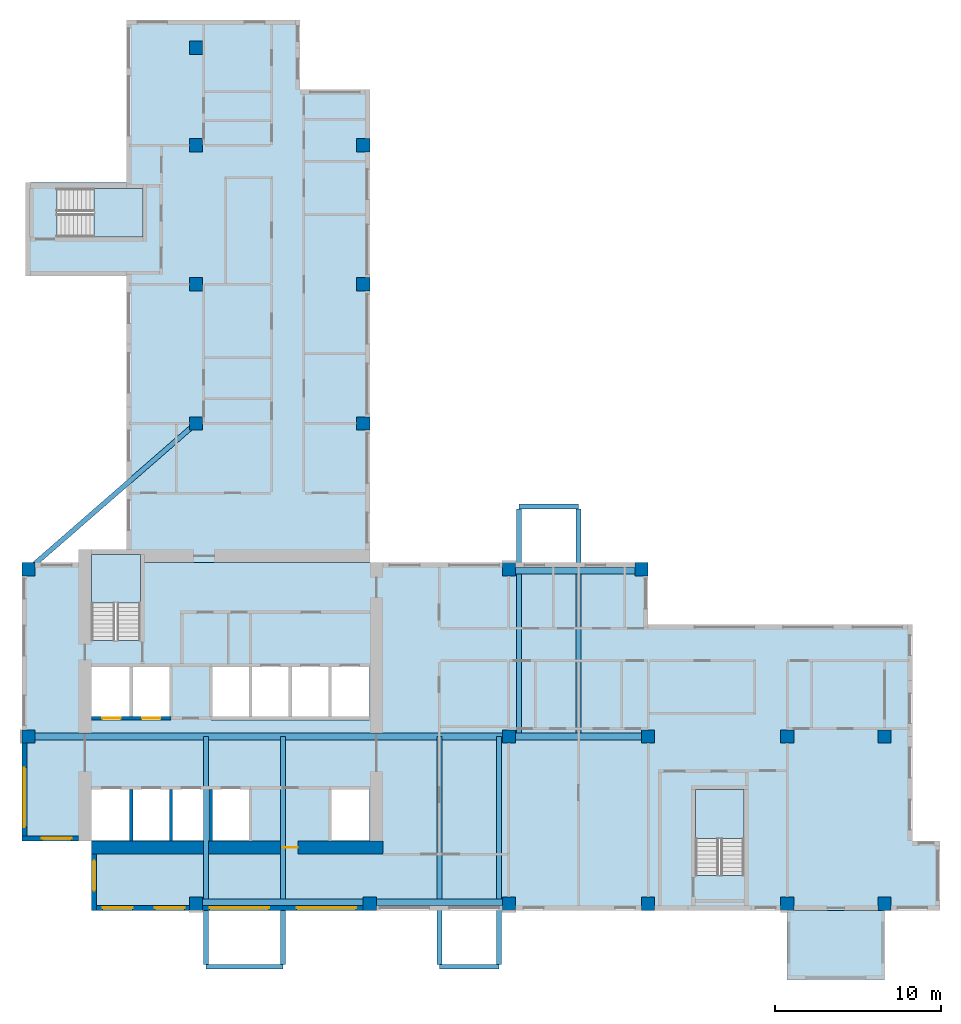
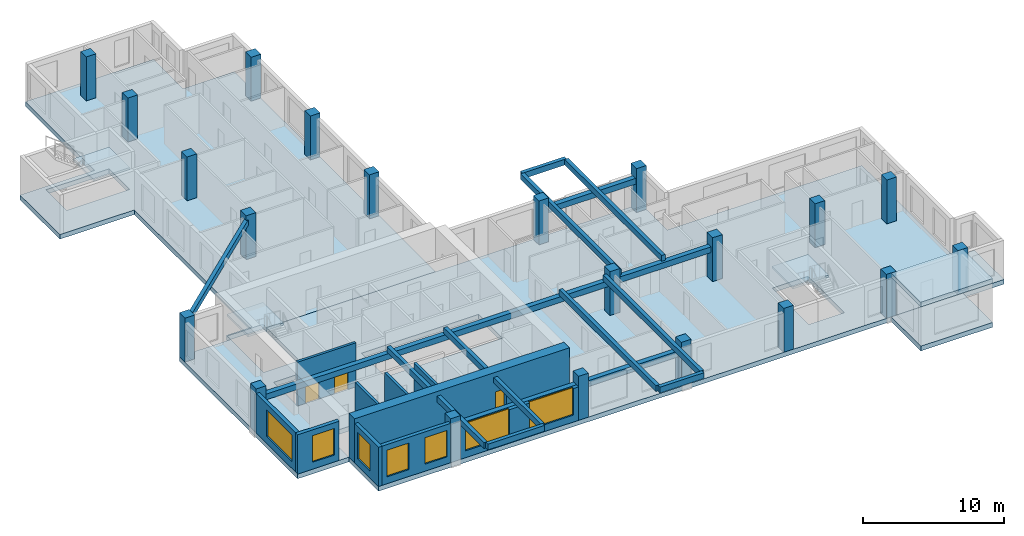
# One storey, part 1 of 11: 21 columns, 14 beams, 10 walls, 7 slabs, 7 windows, 3 doors, 1 member, 10 openings, 3 elements without a shape of their own.
"""IFC4 building model written with IfcOpenShell, lengths in metres."""

from ifc_helpers import new_model, si_unit, direction, frame, frame_2d, origin, origin_2d, place, context, subcontext, project, spatial, polyline, rectangle, outline, extrude, source, transform, mapped, material, layer, layer_set, material_profile, profile_set, type_object, element, fill, aggregate, save


model = new_model("IFC4")

# Units and contexts
model_context = context("Model", 3, precision=1e-05, world=origin(), true_north=direction((0.0, 1.0)))
body_context = subcontext(model_context, "Body", "Model", "MODEL_VIEW")
ifc_project = project(units=[si_unit("LENGTHUNIT", "METRE"), si_unit("AREAUNIT", "SQUARE_METRE"), si_unit("VOLUMEUNIT", "CUBIC_METRE"), si_unit("PLANEANGLEUNIT", "RADIAN"), si_unit("MASSUNIT", "GRAM", prefix="KILO")], contexts=[model_context])

# Site, building, storey
site_placement = place(None, origin())
site = spatial("IfcSite", under=ifc_project, at=site_placement, CompositionType="ELEMENT")
building_placement = place(site_placement, origin())
building = spatial("IfcBuilding", under=site, at=building_placement, Name="Aurelian Terraces", CompositionType="ELEMENT")
storey_placement = place(building_placement, frame((0.0, 0.0, 227.2)))
storey = spatial("IfcBuildingStorey", under=building, at=storey_placement, Name="L51", CompositionType="ELEMENT", Elevation=227.2)

# Columns
ifc_material_1 = material(Name="Concrete fc' 70 MPa", Category="concrete")
ifc_material_profile_1 = material_profile(ifc_material_1, rectangle(XDim=0.8, YDim=0.8, at=origin_2d()))
ifc_profile_set_1 = profile_set([ifc_material_profile_1], Name="Concrete fc' 70 MPa")
column_type = type_object("IfcColumnType", Name="RC COLUMN 800X800 FC70", PredefinedType="COLUMN", material=ifc_profile_set_1)
column_placement = place(storey_placement, frame((10.5, 0.4, 0.0), z_axis=(0.0, 0.0, 1.0), x_axis=(1.0, 0.0, 0.0)))
element("IfcColumn", 1, at=column_placement, inside=storey, type_object=column_type, Name="Column 2/A L51", PredefinedType="COLUMN", context=body_context, shape_type="SweptSolid", body=[
    extrude(rectangle(XDim=0.8, YDim=0.8, at=origin_2d()), origin(), (0.0, 0.0, 1.0), 3.8),
])
shared_shape_1 = source(origin(), body_context, "Body", "SweptSolid", [
    extrude(rectangle(XDim=0.8, YDim=0.8, at=origin_2d()), origin(), (0.0, 0.0, 1.0), 3.8),
])
for number, where, z_axis, x_axis, name in (
    (2, (21.0, 0.4, 0.0), (0.0, 0.0, 1.0), (1.0, 0.0, 0.0), "Column 3/A L51"),
    (3, (29.4, 0.4, 0.0), (0.0, 0.0, 1.0), (1.0, 0.0, 0.0), "Column 4/A L51"),
    (4, (37.8, 0.4, 0.0), (0.0, 0.0, 1.0), (1.0, 0.0, 0.0), "Column 5/A L51"),
    (5, (46.2, 0.4, 0.0), (0.0, 0.0, 1.0), (1.0, 0.0, 0.0), "Column 6/A L51"),
    (6, (52.08, 0.4, 0.0), (0.0, 0.0, 1.0), (1.0, 0.0, 0.0), "Column 7/A L51"),
    (7, (0.4, 10.5, 0.0), (0.0, 0.0, 1.0), (1.0, 0.0, 0.0), "Column 1/B L51"),
    (8, (29.4, 10.5, 0.0), (0.0, 0.0, 1.0), (1.0, 0.0, 0.0), "Column 4/B L51"),
    (9, (37.8, 10.5, 0.0), (0.0, 0.0, 1.0), (1.0, 0.0, 0.0), "Column 5/B L51"),
    (10, (46.2, 10.5, 0.0), (0.0, 0.0, 1.0), (1.0, 0.0, 0.0), "Column 6/B L51"),
    (11, (52.08, 10.5, 0.0), (0.0, 0.0, 1.0), (1.0, 0.0, 0.0), "Column 7/B L51"),
    (12, (0.4, 20.6, 0.0), (0.0, 0.0, 1.0), (1.0, 0.0, 0.0), "Column 1/C L51"),
    (13, (29.4, 20.6, 0.0), (0.0, 0.0, 1.0), (1.0, 0.0, 0.0), "Column 4/C L51"),
    (14, (37.4, 20.6, 0.0), (0.0, 0.0, 1.0), (1.0, 0.0, 0.0), "Column 5/C L51"),
    (15, (10.5, 29.4, 0.0), (0.0, 0.0, 1.0), (1.0, 0.0, 0.0), "Column 2/D L51"),
    (16, (20.6, 29.4, 0.0), (0.0, 0.0, 1.0), (1.0, 0.0, 0.0), "Column 3/D L51"),
    (17, (10.5, 37.8, 0.0), (0.0, 0.0, 1.0), (1.0, 0.0, 0.0), "Column 2/E L51"),
    (18, (20.6, 37.8, 0.0), (0.0, 0.0, 1.0), (1.0, 0.0, 0.0), "Column 3/E L51"),
    (19, (10.5, 46.2, 0.0), (0.0, 0.0, 1.0), (1.0, 0.0, 0.0), "Column 2/F L51"),
    (20, (20.6, 46.2, 0.0), (0.0, 0.0, 1.0), (1.0, 0.0, 0.0), "Column 3/F L51"),
    (21, (10.5, 52.08, 0.0), (0.0, 0.0, 1.0), (1.0, 0.0, 0.0), "Column 2/G L51"),
):
    element("IfcColumn", number, at=place(storey_placement, frame(where, z_axis=z_axis, x_axis=x_axis)), inside=storey, type_object=column_type, Name=name, PredefinedType="COLUMN", context=body_context, shape_type="MappedRepresentation", body=[
        mapped(shared_shape_1, transform((0.0, 0.0, 0.0), scale=1.0)),
    ])

# Beams
ifc_material_2 = material(Name="Concrete fc' 40 MPa", Category="concrete")
ifc_material_profile_2 = material_profile(ifc_material_2, rectangle(XDim=0.3, YDim=0.5, at=origin_2d()))
ifc_profile_set_2 = profile_set([ifc_material_profile_2], Name="Concrete fc' 40 MPa")
beam_type_1 = type_object("IfcBeamType", Name="CONCRETE CANTILEVER BEAM 300X500", PredefinedType="BEAM", material=ifc_profile_set_2)
beam_1_placement = place(storey_placement, frame((11.1, -3.25, 3.15), z_axis=(0.0, 1.0, 0.0), x_axis=(-1.0, 0.0, 0.0)))
element("IfcBeam", 22, at=beam_1_placement, inside=storey, type_object=beam_type_1, Name="Box cantilever beam J75.1", PredefinedType="BEAM", context=body_context, shape_type="SweptSolid", body=[
    extrude(rectangle(XDim=0.3, YDim=0.5, at=origin_2d()), origin(), (0.0, 0.0, 1.0), 13.75),
])
beam_2_placement = place(storey_placement, frame((11.1, -3.4, 3.15), z_axis=(1.0, 0.0, 0.0), x_axis=(0.0, 1.0, 0.0)))
element("IfcBeam", 23, at=beam_2_placement, inside=storey, type_object=beam_type_1, Name="Box tip beam J75", PredefinedType="BEAM", context=body_context, shape_type="SweptSolid", body=[
    extrude(rectangle(XDim=0.3, YDim=0.5, at=origin_2d()), origin(), (0.0, 0.0, 1.0), 4.65),
])
beam_3_placement = place(storey_placement, frame((25.2, -3.4, 3.15), z_axis=(1.0, 0.0, 0.0), x_axis=(0.0, 1.0, 0.0)))
element("IfcBeam", 24, at=beam_3_placement, inside=storey, type_object=beam_type_1, Name="Box tip beam J76", PredefinedType="BEAM", context=body_context, shape_type="SweptSolid", body=[
    extrude(rectangle(XDim=0.3, YDim=0.5, at=origin_2d()), origin(), (0.0, 0.0, 1.0), 3.6),
])

# Member
ifc_material_profile_3 = material_profile(ifc_material_2, rectangle(XDim=0.3, YDim=0.5, at=origin_2d()))
ifc_profile_set_3 = profile_set([ifc_material_profile_3], Name="Concrete fc' 40 MPa")
member_type = type_object("IfcMemberType", Name="CONCRETE EDGE BEAM 300X500", PredefinedType="MEMBER", material=ifc_profile_set_3)
member_placement = place(storey_placement, frame((10.1984, 29.1372, 3.15), z_axis=(-0.753963877863, -0.656915878084, 0.0), x_axis=(0.656915878084, -0.753963877863, 0.0)))
element("IfcMember", 25, at=member_placement, inside=storey, type_object=member_type, Name="Terrace edge member SKY-08-T1", PredefinedType="MEMBER", context=body_context, shape_type="SweptSolid", body=[
    extrude(rectangle(XDim=0.3, YDim=0.5, at=origin_2d()), origin(), (0.0, 0.0, 1.0), 12.5958),
])

# Beams
ifc_material_profile_4 = material_profile(ifc_material_2, rectangle(XDim=0.4, YDim=0.5, at=origin_2d()))
ifc_profile_set_4 = profile_set([ifc_material_profile_4], Name="Concrete fc' 40 MPa")
beam_type_2 = type_object("IfcBeamType", Name="CONCRETE EDGE GIRDER 400X500", PredefinedType="BEAM", material=ifc_profile_set_4)
beam_4_placement = place(storey_placement, frame((10.9, 0.5, 2.65), z_axis=(1.0, 0.0, 0.0), x_axis=(0.0, 1.0, 0.0)))
element("IfcBeam", 26, at=beam_4_placement, inside=storey, type_object=beam_type_2, Name="Box girder L51 O147", PredefinedType="BEAM", context=body_context, shape_type="SweptSolid", body=[
    extrude(rectangle(XDim=0.4, YDim=0.5, at=origin_2d()), origin(), (0.0, 0.0, 1.0), 9.7),
])
beam_5_placement = place(storey_placement, frame((0.8, 10.5, 2.65), z_axis=(1.0, 0.0, 0.0), x_axis=(0.0, 1.0, 0.0)))
element("IfcBeam", 27, at=beam_5_placement, inside=storey, type_object=beam_type_2, Name="Box girder L51 I148", PredefinedType="BEAM", context=body_context, shape_type="SweptSolid", body=[
    extrude(rectangle(XDim=0.4, YDim=0.5, at=origin_2d()), origin(), (0.0, 0.0, 1.0), 28.2),
])
beam_6_placement = place(storey_placement, frame((21.4, 0.5, 2.65), z_axis=(1.0, 0.0, 0.0), x_axis=(0.0, 1.0, 0.0)))
element("IfcBeam", 28, at=beam_6_placement, inside=storey, type_object=beam_type_2, Name="Box girder L51 O149", PredefinedType="BEAM", context=body_context, shape_type="SweptSolid", body=[
    extrude(rectangle(XDim=0.4, YDim=0.5, at=origin_2d()), origin(), (0.0, 0.0, 1.0), 7.6),
])
shared_shape_2 = source(origin(), body_context, "Body", "SweptSolid", [
    extrude(rectangle(XDim=0.4, YDim=0.5, at=origin_2d()), origin(), (0.0, 0.0, 1.0), 7.2),
])
beam_7_placement = place(storey_placement, frame((29.8, 20.5, 2.65), z_axis=(1.0, 0.0, 0.0), x_axis=(0.0, 1.0, 0.0)))
element("IfcBeam", 29, at=beam_7_placement, inside=storey, type_object=beam_type_2, Name="Box girder L51 O150", PredefinedType="BEAM", context=body_context, shape_type="MappedRepresentation", body=[
    mapped(shared_shape_2, transform((0.0, 0.0, 0.0), scale=1.0)),
])
shared_shape_3 = source(origin(), body_context, "Body", "SweptSolid", [
    extrude(rectangle(XDim=0.3, YDim=0.5, at=origin_2d()), origin(), (0.0, 0.0, 1.0), 13.75),
])
for number, where, z_axis, x_axis, name in (
    (30, (15.75, -3.25, 3.15), (0.0, 1.0, 0.0), (-1.0, 0.0, 0.0), "Box cantilever beam J75.2"),
    (31, (25.2, -3.25, 3.15), (0.0, 1.0, 0.0), (-1.0, 0.0, 0.0), "Box cantilever beam J76.1"),
    (32, (28.8, -3.25, 3.15), (0.0, 1.0, 0.0), (-1.0, 0.0, 0.0), "Box cantilever beam J76.2"),
    (33, (30.0, 24.25, 3.15), (0.0, -1.0, 0.0), (1.0, 0.0, 0.0), "Box cantilever beam J77.1"),
    (34, (33.6, 24.25, 3.15), (0.0, -1.0, 0.0), (1.0, 0.0, 0.0), "Box cantilever beam J77.2"),
):
    element("IfcBeam", number, at=place(storey_placement, frame(where, z_axis=z_axis, x_axis=x_axis)), inside=storey, type_object=beam_type_1, Name=name, PredefinedType="BEAM", context=body_context, shape_type="MappedRepresentation", body=[
        mapped(shared_shape_3, transform((0.0, 0.0, 0.0), scale=1.0)),
    ])
shared_shape_4 = source(origin(), body_context, "Body", "SweptSolid", [
    extrude(rectangle(XDim=0.4, YDim=0.5, at=origin_2d()), origin(), (0.0, 0.0, 1.0), 7.6),
])
beam_8_placement = place(storey_placement, frame((29.8, 10.5, 2.65), z_axis=(1.0, 0.0, 0.0), x_axis=(0.0, 1.0, 0.0)))
element("IfcBeam", 35, at=beam_8_placement, inside=storey, type_object=beam_type_2, Name="Box girder L51 I151", PredefinedType="BEAM", context=body_context, shape_type="MappedRepresentation", body=[
    mapped(shared_shape_4, transform((0.0, 0.0, 0.0), scale=1.0)),
])
shared_shape_5 = source(origin(), body_context, "Body", "SweptSolid", [
    extrude(rectangle(XDim=0.3, YDim=0.5, at=origin_2d()), origin(), (0.0, 0.0, 1.0), 3.6),
])
beam_9_placement = place(storey_placement, frame((30.0, 24.4, 3.15), z_axis=(1.0, 0.0, 0.0), x_axis=(0.0, 1.0, 0.0)))
element("IfcBeam", 36, at=beam_9_placement, inside=storey, type_object=beam_type_1, Name="Box tip beam J77", PredefinedType="BEAM", context=body_context, shape_type="MappedRepresentation", body=[
    mapped(shared_shape_5, transform((0.0, 0.0, 0.0), scale=1.0)),
])

# Slabs
ifc_layer_1 = layer(ifc_material_2, 0.4)
ifc_layer_set_1 = layer_set([ifc_layer_1], Name="PT FLAT PLATE 400")
slab_type_1 = type_object("IfcSlabType", Name="PT FLAT PLATE 400", PredefinedType="FLOOR", material=ifc_layer_set_1)
shared_shape_6 = source(origin(), body_context, "Body", "SweptSolid", [
    extrude(outline(polyline([(6.3, 43.95), (6.3, 49.56), (6.3, 53.76), (10.5, 53.76), (16.8, 53.76), (16.8, 49.56), (21.0, 49.56), (21.0, 21.0), (7.14, 21.0), (7.14, 21.49), (4.21, 21.49), (4.21, 21.0), (4.2, 21.0), (4.2, 21.6), (6.3, 21.6), (6.3, 38.3), (0.2, 38.3), (0.2, 43.95), (6.3, 43.95)]), holes=[polyline([(7.29, 43.59), (2.11, 43.59), (2.11, 40.66), (7.29, 40.66), (7.29, 43.59)])]), origin(), (0.0, 0.0, 1.0), 0.4),
])
slab_1_placement = place(storey_placement, frame((0.0, 0.0, -0.4)))
element("IfcSlab", 37, at=slab_1_placement, inside=storey, type_object=slab_type_1, Name="Floor slab W L51", PredefinedType="FLOOR", context=body_context, shape_type="MappedRepresentation", body=[
    mapped(shared_shape_6, transform((0.0, 0.0, 0.0), scale=1.0)),
])
shared_shape_7 = source(origin(), body_context, "Body", "SweptSolid", [
    extrude(outline(polyline([(21.0, 0.0), (4.2, 0.0), (4.2, 4.2), (0.0, 4.2), (0.0, 21.0), (4.21, 21.0), (4.21, 16.31), (7.14, 16.31), (7.14, 21.0), (21.0, 21.0), (37.8, 21.0), (37.8, 17.25), (53.76, 17.25), (53.76, 4.2), (55.44, 4.2), (55.44, 0.0), (21.0, 0.0)]), holes=[polyline([(40.66, 2.11), (43.59, 2.11), (43.59, 7.29), (40.66, 7.29), (40.66, 2.11)]), polyline([(18.61, 7.49), (18.61, 4.21), (20.99, 4.21), (20.99, 7.49), (18.61, 7.49)]), polyline([(20.99, 14.89), (11.41, 14.89), (11.41, 11.51), (20.99, 11.51), (20.99, 14.89)]), polyline([(4.21, 7.49), (4.21, 4.21), (13.79, 4.21), (13.79, 7.49), (4.21, 7.49)]), polyline([(4.21, 14.89), (4.21, 11.51), (8.99, 11.51), (8.99, 14.89), (4.21, 14.89)])]), origin(), (0.0, 0.0, 1.0), 0.4),
])
slab_2_placement = place(storey_placement, frame((0.0, 0.0, -0.4)))
element("IfcSlab", 38, at=slab_2_placement, inside=storey, type_object=slab_type_1, Name="Floor slab S L51", PredefinedType="FLOOR", context=body_context, shape_type="MappedRepresentation", body=[
    mapped(shared_shape_7, transform((0.0, 0.0, 0.0), scale=1.0)),
])
ifc_layer_2 = layer(ifc_material_2, 0.41)
ifc_layer_set_2 = layer_set([ifc_layer_2], Name="Box floor 410")
slab_type_2 = type_object("IfcSlabType", Name="Box floor 410", PredefinedType="NOTDEFINED", material=ifc_layer_set_2)
shared_shape_8 = source(origin(), body_context, "Body", "SweptSolid", [
    extrude(outline(polyline([(46.2, -4.2), (52.08, -4.2), (52.08, 0.0), (46.2, 0.0), (46.2, -4.2)])), origin(), (0.0, 0.0, 1.0), 0.41),
])
slab_3_placement = place(storey_placement, frame((0.0, 0.0, -0.41)))
element("IfcSlab", 39, at=slab_3_placement, inside=storey, type_object=slab_type_2, Name="Box floor L51 J74", PredefinedType="NOTDEFINED", context=body_context, shape_type="MappedRepresentation", body=[
    mapped(shared_shape_8, transform((0.0, 0.0, 0.0), scale=1.0)),
])
ifc_layer_3 = layer(ifc_material_2, 0.4)
ifc_layer_set_3 = layer_set([ifc_layer_3], Name="Box roof 400")
slab_type_3 = type_object("IfcSlabType", Name="Box roof 400", PredefinedType="ROOF", material=ifc_layer_set_3)
shared_shape_9 = source(origin(), body_context, "Body", "SweptSolid", [
    extrude(outline(polyline([(46.2, -4.2), (52.08, -4.2), (52.08, 0.0), (46.2, 0.0), (46.2, -4.2)])), origin(), (0.0, 0.0, 1.0), 0.4),
])
slab_4_placement = place(storey_placement, frame((0.0, 0.0, 3.4)))
element("IfcSlab", 40, at=slab_4_placement, inside=storey, type_object=slab_type_3, Name="Box roof J74", PredefinedType="ROOF", context=body_context, shape_type="MappedRepresentation", body=[
    mapped(shared_shape_9, transform((0.0, 0.0, 0.0), scale=1.0)),
])

# Stair, slab
stair_type = type_object("IfcStairType", Name="Stair 1400", PredefinedType="HALF_TURN_STAIR", material=ifc_material_2)
stair_1_placement = place(storey_placement, origin())
stair_1 = element("IfcStair", 41, at=stair_1_placement, inside=storey, type_object=stair_type, Name="L51 S1", PredefinedType="HALF_TURN_STAIR")
ifc_layer_4 = layer(ifc_material_2, 0.2)
ifc_layer_set_4 = layer_set([ifc_layer_4], Name="Stair landing 200")
slab_type_4 = type_object("IfcSlabType", Name="Stair landing 200", PredefinedType="LANDING", material=ifc_layer_set_4)
shared_shape_10 = source(origin(), body_context, "Body", "SweptSolid", [
    extrude(outline(polyline([(7.15, 18.55), (7.15, 21.5), (4.2, 21.5), (4.2, 18.55), (7.15, 18.55)])), origin(), (0.0, 0.0, 1.0), 0.2),
])
slab_5_placement = place(storey_placement, frame((0.0, 0.0, 1.7)))
slab_5 = element("IfcSlab", 42, at=slab_5_placement, type_object=slab_type_4, Name="S1 landing 1", PredefinedType="LANDING", context=body_context, shape_type="MappedRepresentation", body=[
    mapped(shared_shape_10, transform((0.0, 0.0, 0.0), scale=1.0)),
])
aggregate(stair_1, [slab_5])

stair_2_placement = place(storey_placement, origin())
stair_2 = element("IfcStair", 43, at=stair_2_placement, inside=storey, type_object=stair_type, Name="L51 S2", PredefinedType="HALF_TURN_STAIR")
shared_shape_11 = source(origin(), body_context, "Body", "SweptSolid", [
    extrude(outline(polyline([(43.6, 4.35), (43.6, 7.3), (40.65, 7.3), (40.65, 4.35), (43.6, 4.35)])), origin(), (0.0, 0.0, 1.0), 0.2),
])
slab_6_placement = place(storey_placement, frame((0.0, 0.0, 1.7)))
slab_6 = element("IfcSlab", 44, at=slab_6_placement, type_object=slab_type_4, Name="S2 landing 1", PredefinedType="LANDING", context=body_context, shape_type="MappedRepresentation", body=[
    mapped(shared_shape_11, transform((0.0, 0.0, 0.0), scale=1.0)),
])
aggregate(stair_2, [slab_6])

stair_3_placement = place(storey_placement, origin())
stair_3 = element("IfcStair", 45, at=stair_3_placement, inside=storey, type_object=stair_type, Name="L51 S3", PredefinedType="HALF_TURN_STAIR")
shared_shape_12 = source(origin(), body_context, "Body", "SweptSolid", [
    extrude(outline(polyline([(4.35, 40.65), (7.3, 40.65), (7.3, 43.6), (4.35, 43.6), (4.35, 40.65)])), origin(), (0.0, 0.0, 1.0), 0.2),
])
slab_7_placement = place(storey_placement, frame((0.0, 0.0, 1.7)))
slab_7 = element("IfcSlab", 46, at=slab_7_placement, type_object=slab_type_4, Name="S3 landing 1", PredefinedType="LANDING", context=body_context, shape_type="MappedRepresentation", body=[
    mapped(shared_shape_12, transform((0.0, 0.0, 0.0), scale=1.0)),
])
aggregate(stair_3, [slab_7])

# Wall, openings, windows
ifc_material_3 = material(Name="Terracotta rainscreen cladding", Category="masonry")
ifc_layer_5 = layer(ifc_material_3, 0.3)
ifc_layer_set_5 = layer_set([ifc_layer_5], Name="EW-300")
wall_type_1 = type_object("IfcWallType", Name="EW-300", PredefinedType="STANDARD", material=ifc_layer_set_5)
wall_1_placement = place(storey_placement, frame((4.2, 0.15, 0.0), z_axis=(0.0, 0.0, 1.0), x_axis=(1.0, 0.0, 0.0)))
wall_1 = element("IfcWall", 47, at=wall_1_placement, inside=storey, type_object=wall_type_1, Name="External wall L51 F01.1", PredefinedType="STANDARD", context=body_context, shape_type="SweptSolid", body=[
    extrude(rectangle(XDim=5.9, YDim=0.3, at=frame_2d((2.95, 0.0))), origin(), (0.0, 0.0, 1.0), 3.4),
])
shared_shape_13 = source(origin(), body_context, "Body", "SweptSolid", [
    extrude(rectangle(XDim=1.8, YDim=2.3, at=frame_2d((0.9, 1.15))), frame((0.0, 0.16, 0.0), z_axis=(0.0, -1.0, 0.0), x_axis=(1.0, 0.0, 0.0)), (0.0, 0.0, 1.0), 0.32),
])
opening_1_placement = place(wall_1_placement, frame((0.675, 0.0, 0.6)))
opening_1 = element("IfcOpeningElement", 48, at=opening_1_placement, cuts=wall_1, Name="Opening W1823", PredefinedType="OPENING", context=body_context, shape_type="MappedRepresentation", body=[
    mapped(shared_shape_13, transform((0.0, 0.0, 0.0), scale=1.0)),
])
opening_2_placement = place(wall_1_placement, frame((3.825, 0.0, 0.6)))
opening_2 = element("IfcOpeningElement", 49, at=opening_2_placement, cuts=wall_1, Name="Opening W1823", PredefinedType="OPENING", context=body_context, shape_type="MappedRepresentation", body=[
    mapped(shared_shape_13, transform((0.0, 0.0, 0.0), scale=1.0)),
])
ifc_material_4 = material(Name="Clear glazing", Category="glass")
window_type_1 = type_object("IfcWindowType", Name="W-1800x2300", PartitioningType="SINGLE_PANEL", PredefinedType="WINDOW", material=ifc_material_4)
shared_shape_14 = source(origin(), body_context, "Body", "SweptSolid", [
    extrude(rectangle(XDim=1.8, YDim=2.3, at=frame_2d((0.9, 1.15))), frame((0.0, 0.03, 0.0), z_axis=(0.0, -1.0, 0.0), x_axis=(1.0, 0.0, 0.0)), (0.0, 0.0, 1.0), 0.06),
])
window_1_placement = place(opening_1_placement, origin())
window_1 = element("IfcWindow", 50, at=window_1_placement, inside=storey, type_object=window_type_1, Name="Window L51 L51-F01-01-0", OverallHeight=2.3, OverallWidth=1.8, PartitioningType="SINGLE_PANEL", PredefinedType="WINDOW", context=body_context, shape_type="MappedRepresentation", body=[
    mapped(shared_shape_14, transform((0.0, 0.0, 0.0), scale=1.0)),
])
fill(opening_1, window_1)
window_2_placement = place(opening_2_placement, origin())
window_2 = element("IfcWindow", 51, at=window_2_placement, inside=storey, type_object=window_type_1, Name="Window L51 L51-F01-01-1", OverallHeight=2.3, OverallWidth=1.8, PartitioningType="SINGLE_PANEL", PredefinedType="WINDOW", context=body_context, shape_type="MappedRepresentation", body=[
    mapped(shared_shape_14, transform((0.0, 0.0, 0.0), scale=1.0)),
])
fill(opening_2, window_2)

wall_2_placement = place(storey_placement, frame((10.9, 0.15, 0.0), z_axis=(0.0, 0.0, 1.0), x_axis=(1.0, 0.0, 0.0)))
wall_2 = element("IfcWall", 52, at=wall_2_placement, inside=storey, type_object=wall_type_1, Name="External wall L51 F01.2", PredefinedType="STANDARD", context=body_context, shape_type="SweptSolid", body=[
    extrude(rectangle(XDim=9.7, YDim=0.3, at=frame_2d((4.85, 0.0))), origin(), (0.0, 0.0, 1.0), 2.9),
])
shared_shape_15 = source(origin(), body_context, "Body", "SweptSolid", [
    extrude(rectangle(XDim=3.6, YDim=2.3, at=frame_2d((1.8, 1.15))), frame((0.0, 0.16, 0.0), z_axis=(0.0, -1.0, 0.0), x_axis=(1.0, 0.0, 0.0)), (0.0, 0.0, 1.0), 0.32),
])
opening_3_placement = place(wall_2_placement, frame((0.425, 0.0, 0.6)))
opening_3 = element("IfcOpeningElement", 53, at=opening_3_placement, cuts=wall_2, Name="Opening W3623", PredefinedType="OPENING", context=body_context, shape_type="MappedRepresentation", body=[
    mapped(shared_shape_15, transform((0.0, 0.0, 0.0), scale=1.0)),
])
opening_4_placement = place(wall_2_placement, frame((5.675, 0.0, 0.6)))
opening_4 = element("IfcOpeningElement", 54, at=opening_4_placement, cuts=wall_2, Name="Opening W3623", PredefinedType="OPENING", context=body_context, shape_type="MappedRepresentation", body=[
    mapped(shared_shape_15, transform((0.0, 0.0, 0.0), scale=1.0)),
])
window_type_2 = type_object("IfcWindowType", Name="W-3600x2300", PartitioningType="SINGLE_PANEL", PredefinedType="WINDOW", material=ifc_material_4)
shared_shape_16 = source(origin(), body_context, "Body", "SweptSolid", [
    extrude(rectangle(XDim=3.6, YDim=2.3, at=frame_2d((1.8, 1.15))), frame((0.0, 0.03, 0.0), z_axis=(0.0, -1.0, 0.0), x_axis=(1.0, 0.0, 0.0)), (0.0, 0.0, 1.0), 0.06),
])
window_3_placement = place(opening_3_placement, origin())
window_3 = element("IfcWindow", 55, at=window_3_placement, inside=storey, type_object=window_type_2, Name="Window L51 L51-F01-02-0", OverallHeight=2.3, OverallWidth=3.6, PartitioningType="SINGLE_PANEL", PredefinedType="WINDOW", context=body_context, shape_type="MappedRepresentation", body=[
    mapped(shared_shape_16, transform((0.0, 0.0, 0.0), scale=1.0)),
])
fill(opening_3, window_3)
window_4_placement = place(opening_4_placement, origin())
window_4 = element("IfcWindow", 56, at=window_4_placement, inside=storey, type_object=window_type_2, Name="Window L51 L51-F01-02-1", OverallHeight=2.3, OverallWidth=3.6, PartitioningType="SINGLE_PANEL", PredefinedType="WINDOW", context=body_context, shape_type="MappedRepresentation", body=[
    mapped(shared_shape_16, transform((0.0, 0.0, 0.0), scale=1.0)),
])
fill(opening_4, window_4)

# Wall, opening, door
ifc_layer_6 = layer(ifc_material_1, 0.8)
ifc_layer_set_6 = layer_set([ifc_layer_6], Name="CORE WALL 800 FC70")
wall_type_2 = type_object("IfcWallType", Name="CORE WALL 800 FC70", PredefinedType="SHEAR", material=ifc_layer_set_6)
shared_shape_17 = source(origin(), body_context, "Body", "SweptSolid", [
    extrude(rectangle(XDim=17.6, YDim=0.8, at=frame_2d((8.8, 0.0))), origin(), (0.0, 0.0, 1.0), 3.8),
])
wall_3_placement = place(storey_placement, frame((4.2, 3.8, 0.0), z_axis=(0.0, 0.0, 1.0), x_axis=(1.0, 0.0, 0.0)))
wall_3 = element("IfcWall", 57, at=wall_3_placement, inside=storey, type_object=wall_type_2, Name="Core wall S L51", PredefinedType="SHEAR", context=body_context, shape_type="MappedRepresentation", body=[
    mapped(shared_shape_17, transform((0.0, 0.0, 0.0), scale=1.0)),
])
shared_shape_18 = source(origin(), body_context, "Body", "SweptSolid", [
    extrude(rectangle(XDim=0.9, YDim=2.1, at=frame_2d((0.45, 1.05))), frame((0.0, 0.41, 0.0), z_axis=(0.0, -1.0, 0.0), x_axis=(1.0, 0.0, 0.0)), (0.0, 0.0, 1.0), 0.82),
])
opening_5_placement = place(wall_3_placement, frame((11.55, 0.0, 0.0)))
opening_5 = element("IfcOpeningElement", 58, at=opening_5_placement, cuts=wall_3, Name="Opening 65425", PredefinedType="OPENING", context=body_context, shape_type="MappedRepresentation", body=[
    mapped(shared_shape_18, transform((0.0, 0.0, 0.0), scale=1.0)),
])
ifc_material_5 = material(Name="Steel door leaf", Category="steel")
door_type_1 = type_object("IfcDoorType", Name="Core service door 900x2100", OperationType="SINGLE_SWING_LEFT", PredefinedType="DOOR", material=ifc_material_5)
shared_shape_19 = source(origin(), body_context, "Body", "SweptSolid", [
    extrude(rectangle(XDim=0.9, YDim=2.1, at=frame_2d((0.45, 1.05))), frame((0.0, 0.025, 0.0), z_axis=(0.0, -1.0, 0.0), x_axis=(1.0, 0.0, 0.0)), (0.0, 0.0, 1.0), 0.05),
])
door_1_placement = place(opening_5_placement, origin())
door_1 = element("IfcDoor", 59, at=door_1_placement, inside=storey, type_object=door_type_1, Name="Core door 65425", OperationType="SINGLE_SWING_LEFT", OverallHeight=2.1, OverallWidth=0.9, PredefinedType="DOOR", context=body_context, shape_type="MappedRepresentation", body=[
    mapped(shared_shape_19, transform((0.0, 0.0, 0.0), scale=1.0)),
])
fill(opening_5, door_1)

# Wall, opening, window
shared_shape_20 = source(origin(), body_context, "Body", "SweptSolid", [
    extrude(rectangle(XDim=3.4, YDim=0.3, at=frame_2d((1.7, 0.0))), origin(), (0.0, 0.0, 1.0), 3.4),
])
wall_4_placement = place(storey_placement, frame((0.0, 4.35, 0.0), z_axis=(0.0, 0.0, 1.0), x_axis=(1.0, 0.0, 0.0)))
wall_4 = element("IfcWall", 60, at=wall_4_placement, inside=storey, type_object=wall_type_1, Name="External wall L51 F21.34", PredefinedType="STANDARD", context=body_context, shape_type="MappedRepresentation", body=[
    mapped(shared_shape_20, transform((0.0, 0.0, 0.0), scale=1.0)),
])
opening_6_placement = place(wall_4_placement, frame((1.2, 0.0, 0.6)))
opening_6 = element("IfcOpeningElement", 61, at=opening_6_placement, cuts=wall_4, Name="Opening W1823", PredefinedType="OPENING", context=body_context, shape_type="MappedRepresentation", body=[
    mapped(shared_shape_13, transform((0.0, 0.0, 0.0), scale=1.0)),
])
window_5_placement = place(opening_6_placement, origin())
window_5 = element("IfcWindow", 62, at=window_5_placement, inside=storey, type_object=window_type_1, Name="Window L51 L51-F21-34-0", OverallHeight=2.3, OverallWidth=1.8, PartitioningType="SINGLE_PANEL", PredefinedType="WINDOW", context=body_context, shape_type="MappedRepresentation", body=[
    mapped(shared_shape_14, transform((0.0, 0.0, 0.0), scale=1.0)),
])
fill(opening_6, window_5)

wall_5_placement = place(storey_placement, frame((4.35, 3.4, 0.0), z_axis=(0.0, 0.0, 1.0), x_axis=(0.0, -1.0, 0.0)))
wall_5 = element("IfcWall", 63, at=wall_5_placement, inside=storey, type_object=wall_type_1, Name="External wall L51 F22.35", PredefinedType="STANDARD", context=body_context, shape_type="MappedRepresentation", body=[
    mapped(shared_shape_20, transform((0.0, 0.0, 0.0), scale=1.0)),
])
opening_7_placement = place(wall_5_placement, frame((0.4, 0.0, 0.6)))
opening_7 = element("IfcOpeningElement", 64, at=opening_7_placement, cuts=wall_5, Name="Opening W1823", PredefinedType="OPENING", context=body_context, shape_type="MappedRepresentation", body=[
    mapped(shared_shape_13, transform((0.0, 0.0, 0.0), scale=1.0)),
])
window_6_placement = place(opening_7_placement, origin())
window_6 = element("IfcWindow", 65, at=window_6_placement, inside=storey, type_object=window_type_1, Name="Window L51 L51-F22-35-0", OverallHeight=2.3, OverallWidth=1.8, PartitioningType="SINGLE_PANEL", PredefinedType="WINDOW", context=body_context, shape_type="MappedRepresentation", body=[
    mapped(shared_shape_14, transform((0.0, 0.0, 0.0), scale=1.0)),
])
fill(opening_7, window_6)

shared_shape_21 = source(origin(), body_context, "Body", "SweptSolid", [
    extrude(rectangle(XDim=5.9, YDim=0.3, at=frame_2d((2.95, 0.0))), origin(), (0.0, 0.0, 1.0), 3.4),
])
wall_6_placement = place(storey_placement, frame((0.15, 10.1, 0.0), z_axis=(0.0, 0.0, 1.0), x_axis=(0.0, -1.0, 0.0)))
wall_6 = element("IfcWall", 66, at=wall_6_placement, inside=storey, type_object=wall_type_1, Name="External wall L51 F20.33", PredefinedType="STANDARD", context=body_context, shape_type="MappedRepresentation", body=[
    mapped(shared_shape_21, transform((0.0, 0.0, 0.0), scale=1.0)),
])
opening_8_placement = place(wall_6_placement, frame((1.475, 0.0, 0.6)))
opening_8 = element("IfcOpeningElement", 67, at=opening_8_placement, cuts=wall_6, Name="Opening W3623", PredefinedType="OPENING", context=body_context, shape_type="MappedRepresentation", body=[
    mapped(shared_shape_15, transform((0.0, 0.0, 0.0), scale=1.0)),
])
window_7_placement = place(opening_8_placement, origin())
window_7 = element("IfcWindow", 68, at=window_7_placement, inside=storey, type_object=window_type_2, Name="Window L51 L51-F20-33-3", OverallHeight=2.3, OverallWidth=3.6, PartitioningType="SINGLE_PANEL", PredefinedType="WINDOW", context=body_context, shape_type="MappedRepresentation", body=[
    mapped(shared_shape_16, transform((0.0, 0.0, 0.0), scale=1.0)),
])
fill(opening_8, window_7)

# Walls
ifc_layer_7 = layer(ifc_material_2, 0.2)
ifc_layer_set_7 = layer_set([ifc_layer_7], Name="Lift shaft wall 200")
wall_type_3 = type_object("IfcWallType", Name="Lift shaft wall 200", PredefinedType="SOLIDWALL", material=ifc_layer_set_7)
shared_shape_22 = source(origin(), body_context, "Body", "SweptSolid", [
    extrude(rectangle(XDim=3.1, YDim=0.2, at=frame_2d((1.55, 0.0))), origin(), (0.0, 0.0, 1.0), 3.8),
])
for number, where, z_axis, x_axis, name in (
    (69, (6.6, 4.2, 0.0), (0.0, 0.0, 1.0), (0.0, 1.0, 0.0), "L51 core wall CD-A1"),
    (70, (9.0, 4.2, 0.0), (0.0, 0.0, 1.0), (0.0, 1.0, 0.0), "L51 core wall CD-A2"),
    (71, (11.4, 4.2, 0.0), (0.0, 0.0, 1.0), (0.0, 1.0, 0.0), "L51 core wall CD-A3"),
):
    element("IfcWall", number, at=place(storey_placement, frame(where, z_axis=z_axis, x_axis=x_axis)), inside=storey, type_object=wall_type_3, Name=name, PredefinedType="SOLIDWALL", context=body_context, shape_type="MappedRepresentation", body=[
        mapped(shared_shape_22, transform((0.0, 0.0, 0.0), scale=1.0)),
    ])

# Wall, openings, doors
shared_shape_23 = source(origin(), body_context, "Body", "SweptSolid", [
    extrude(rectangle(XDim=4.8, YDim=0.2, at=frame_2d((2.4, 0.0))), origin(), (0.0, 0.0, 1.0), 3.8),
])
wall_7_placement = place(storey_placement, frame((4.2, 11.6, 0.0), z_axis=(0.0, 0.0, 1.0), x_axis=(1.0, 0.0, 0.0)))
wall_7 = element("IfcWall", 72, at=wall_7_placement, inside=storey, type_object=wall_type_3, Name="L51 core wall CF-BF1", PredefinedType="SOLIDWALL", context=body_context, shape_type="MappedRepresentation", body=[
    mapped(shared_shape_23, transform((0.0, 0.0, 0.0), scale=1.0)),
])
shared_shape_24 = source(origin(), body_context, "Body", "SweptSolid", [
    extrude(rectangle(XDim=1.1, YDim=2.1, at=frame_2d((0.55, 1.05))), frame((0.0, 0.11, 0.0), z_axis=(0.0, -1.0, 0.0), x_axis=(1.0, 0.0, 0.0)), (0.0, 0.0, 1.0), 0.22),
])
opening_9_placement = place(wall_7_placement, frame((0.65, 0.0, 0.0)))
opening_9 = element("IfcOpeningElement", 73, at=opening_9_placement, cuts=wall_7, Name="Opening 65405", PredefinedType="OPENING", context=body_context, shape_type="MappedRepresentation", body=[
    mapped(shared_shape_24, transform((0.0, 0.0, 0.0), scale=1.0)),
])
opening_10_placement = place(wall_7_placement, frame((3.05, 0.0, 0.0)))
opening_10 = element("IfcOpeningElement", 74, at=opening_10_placement, cuts=wall_7, Name="Opening 65406", PredefinedType="OPENING", context=body_context, shape_type="MappedRepresentation", body=[
    mapped(shared_shape_24, transform((0.0, 0.0, 0.0), scale=1.0)),
])
ifc_material_6 = material(Name="Stainless steel", Category="steel")
door_type_2 = type_object("IfcDoorType", Name="Lift landing door 1100x2100", OperationType="SLIDING_TO_LEFT", PredefinedType="DOOR", material=ifc_material_6)
shared_shape_25 = source(origin(), body_context, "Body", "SweptSolid", [
    extrude(rectangle(XDim=1.1, YDim=2.1, at=frame_2d((0.55, 1.05))), frame((0.0, 0.025, 0.0), z_axis=(0.0, -1.0, 0.0), x_axis=(1.0, 0.0, 0.0)), (0.0, 0.0, 1.0), 0.05),
])
door_2_placement = place(opening_9_placement, origin())
door_2 = element("IfcDoor", 75, at=door_2_placement, inside=storey, type_object=door_type_2, Name="Lift landing door LM5 L51", OperationType="SLIDING_TO_LEFT", OverallHeight=2.1, OverallWidth=1.1, PredefinedType="DOOR", context=body_context, shape_type="MappedRepresentation", body=[
    mapped(shared_shape_25, transform((0.0, 0.0, 0.0), scale=1.0)),
])
fill(opening_9, door_2)
door_3_placement = place(opening_10_placement, origin())
door_3 = element("IfcDoor", 76, at=door_3_placement, inside=storey, type_object=door_type_2, Name="Lift landing door LM6 L51", OperationType="SLIDING_TO_LEFT", OverallHeight=2.1, OverallWidth=1.1, PredefinedType="DOOR", context=body_context, shape_type="MappedRepresentation", body=[
    mapped(shared_shape_25, transform((0.0, 0.0, 0.0), scale=1.0)),
])
fill(opening_10, door_3)

save(model, "model.ifc")
